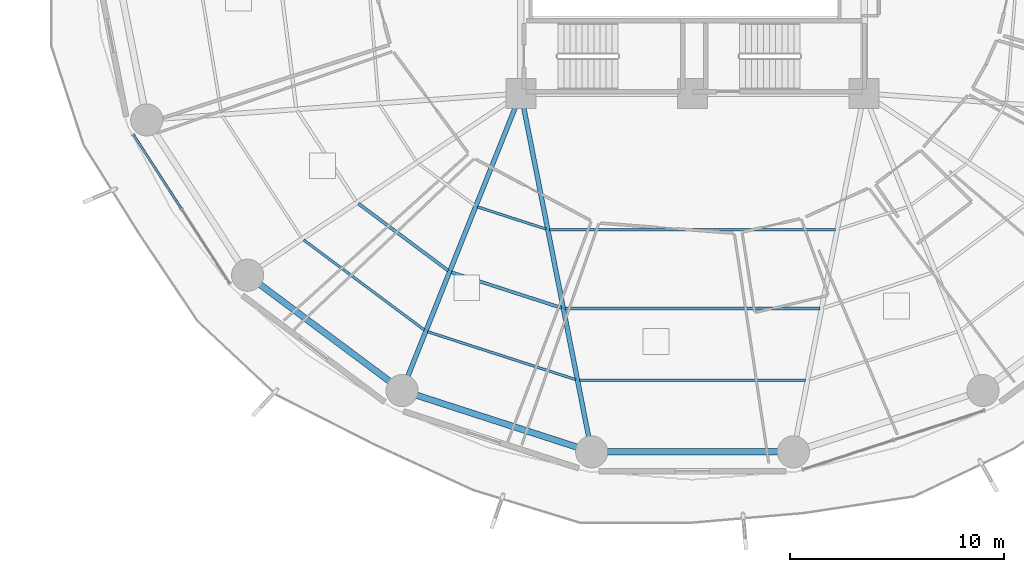
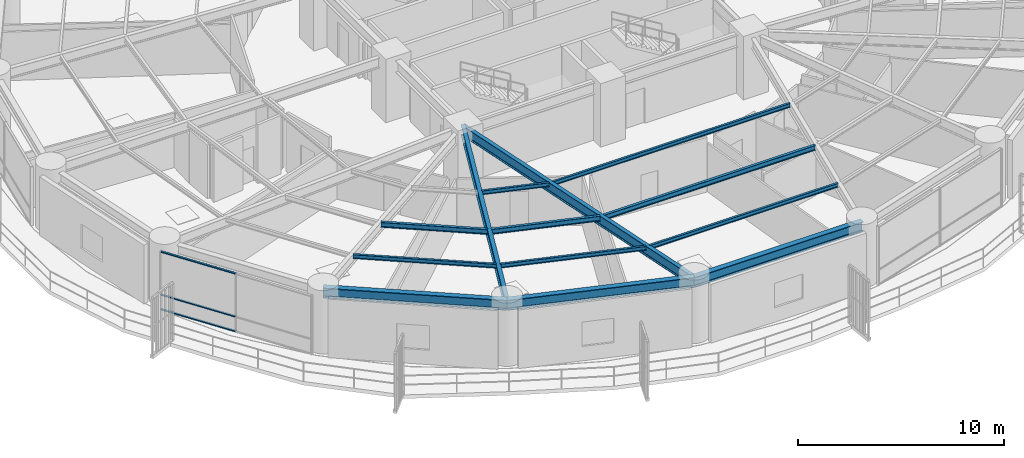
# One storey, part 3 of 31: 13 beams, 3 members, 1 element without a shape of its own.
"""IFC4 building model written with IfcOpenShell, lengths in metres."""

from ifc_helpers import new_model, si_unit, direction, frame, origin, origin_2d, place, context, subcontext, project, spatial, hollow_rectangle, i_section, extrude, material, layer, layer_set, material_profile, profile_set, type_object, element, aggregate, save


model = new_model("IFC4")

# Units and contexts
model_context = context("Model", 3, precision=1e-05, world=origin(), true_north=direction((0.0, 1.0)))
body_context = subcontext(model_context, "Body", "Model", "MODEL_VIEW")
ifc_project = project(units=[si_unit("LENGTHUNIT", "METRE"), si_unit("AREAUNIT", "SQUARE_METRE"), si_unit("VOLUMEUNIT", "CUBIC_METRE"), si_unit("PLANEANGLEUNIT", "RADIAN"), si_unit("MASSUNIT", "GRAM", prefix="KILO")], contexts=[model_context])

# Site, building, storey
site_placement = place(None, origin())
site = spatial("IfcSite", under=ifc_project, at=site_placement, CompositionType="ELEMENT")
building_placement = place(site_placement, origin())
building = spatial("IfcBuilding", under=site, at=building_placement, Name="Kelanora Arch Commons", CompositionType="ELEMENT")
storey_placement = place(building_placement, frame((0.0, 0.0, 63.75)))
storey = spatial("IfcBuildingStorey", under=building, at=storey_placement, Name="L16", CompositionType="ELEMENT", Elevation=63.75)

# Beams
ifc_material_1 = material(Name="Steel S355", Category="steel")
ifc_material_profile_1 = material_profile(ifc_material_1, i_section(OverallWidth=0.14990234375, OverallDepth=0.300048828125, WebThickness=0.007080078125, FlangeThickness=0.0107421875, FilletRadius=0.014892578125, at=origin_2d()), Name="IPE300")
ifc_profile_set_1 = profile_set([ifc_material_profile_1], Name="Steel S355")
beam_type_1 = type_object("IfcBeamType", Name="BM-JST-01", PredefinedType="JOIST", material=ifc_profile_set_1)
beam_1_placement = place(storey_placement, frame((58.42138671875, 45.8623046875, 3.340087890625), z_axis=(0.801478251559, -0.598023922831, 0.0), x_axis=(0.598023922831, 0.801478251559, 0.0)))
element("IfcBeam", 1, at=beam_1_placement, inside=storey, type_object=beam_type_1, Name="Secondary Chord Joist BJB-22 L16", PredefinedType="JOIST", context=body_context, shape_type="SweptSolid", body=[
    extrude(i_section(OverallWidth=0.14990234375, OverallDepth=0.300048828125, WebThickness=0.007080078125, FlangeThickness=0.0107421875, FilletRadius=0.014892578125, at=origin_2d()), origin(), (0.0, 0.0, 1.0), 5.223388671875),
])
beam_2_placement = place(storey_placement, frame((62.7568359375, 42.66162109375, 3.340087890625), z_axis=(0.951412209627, -0.307920131482, 0.0), x_axis=(0.307920131482, 0.951412209627, 0.0)))
element("IfcBeam", 2, at=beam_2_placement, inside=storey, type_object=beam_type_1, Name="Secondary Chord Joist BJB-24 L16", PredefinedType="JOIST", context=body_context, shape_type="SweptSolid", body=[
    extrude(i_section(OverallWidth=0.14990234375, OverallDepth=0.300048828125, WebThickness=0.007080078125, FlangeThickness=0.0107421875, FilletRadius=0.014892578125, at=origin_2d()), origin(), (0.0, 0.0, 1.0), 5.4033203125),
])
beam_3_placement = place(storey_placement, frame((68.063720703125, 40.971435546875, 3.340087890625), z_axis=(1.0, 0.0, 0.0), x_axis=(0.0, 1.0, 0.0)))
element("IfcBeam", 3, at=beam_3_placement, inside=storey, type_object=beam_type_1, Name="Secondary Chord Joist BJB-26 L16", PredefinedType="JOIST", context=body_context, shape_type="SweptSolid", body=[
    extrude(i_section(OverallWidth=0.14990234375, OverallDepth=0.300048828125, WebThickness=0.007080078125, FlangeThickness=0.0107421875, FilletRadius=0.014892578125, at=origin_2d()), origin(), (0.0, 0.0, 1.0), 11.87255859375),
])
ifc_material_profile_2 = material_profile(ifc_material_1, i_section(OverallWidth=0.1201171875, OverallDepth=0.239990234375, WebThickness=0.006103515625, FlangeThickness=0.009765625, FilletRadius=0.014892578125, at=origin_2d()), Name="IPE240")
ifc_profile_set_2 = profile_set([ifc_material_profile_2], Name="Steel S355")
beam_type_2 = type_object("IfcBeamType", Name="BM-JST-02", PredefinedType="JOIST", material=ifc_profile_set_2)
beam_4_placement = place(storey_placement, frame((55.87255859375, 44.16650390625, 3.3701171875), z_axis=(0.80149131963, -0.598006408459, 0.0), x_axis=(0.598006408459, 0.80149131963, 0.0)))
element("IfcBeam", 4, at=beam_4_placement, inside=storey, type_object=beam_type_2, Name="Secondary Chord Joist BJC-22 L16", PredefinedType="JOIST", context=body_context, shape_type="SweptSolid", body=[
    extrude(i_section(OverallWidth=0.1201171875, OverallDepth=0.239990234375, WebThickness=0.006103515625, FlangeThickness=0.009765625, FilletRadius=0.014892578125, at=origin_2d()), origin(), (0.0, 0.0, 1.0), 7.021240234375),
])
beam_5_placement = place(storey_placement, frame((63.9755859375, 45.709228515625, 3.3701171875), z_axis=(0.951422608074, -0.30788800049, 0.0), x_axis=(0.30788800049, 0.951422608074, 0.0)))
element("IfcBeam", 5, at=beam_5_placement, inside=storey, type_object=beam_type_2, Name="Secondary Chord Joist BJA-24 L16", PredefinedType="JOIST", context=body_context, shape_type="SweptSolid", body=[
    extrude(i_section(OverallWidth=0.1201171875, OverallDepth=0.239990234375, WebThickness=0.006103515625, FlangeThickness=0.009765625, FilletRadius=0.014892578125, at=origin_2d()), origin(), (0.0, 0.0, 1.0), 3.359619140625),
])
beam_6_placement = place(storey_placement, frame((61.64892578125, 39.890625, 3.3701171875), z_axis=(0.951410915705, -0.307924129418, 0.0), x_axis=(0.307924129418, 0.951410915705, 0.0)))
element("IfcBeam", 6, at=beam_6_placement, inside=storey, type_object=beam_type_2, Name="Secondary Chord Joist BJC-24 L16", PredefinedType="JOIST", context=body_context, shape_type="SweptSolid", body=[
    extrude(i_section(OverallWidth=0.1201171875, OverallDepth=0.239990234375, WebThickness=0.006103515625, FlangeThickness=0.009765625, FilletRadius=0.014892578125, at=origin_2d()), origin(), (0.0, 0.0, 1.0), 7.260986328125),
])
beam_7_placement = place(storey_placement, frame((67.338134765625, 44.648681640625, 3.3701171875), z_axis=(1.0, 0.0, 0.0), x_axis=(0.0, 1.0, 0.0)))
element("IfcBeam", 7, at=beam_7_placement, inside=storey, type_object=beam_type_2, Name="Secondary Chord Joist BJA-26 L16", PredefinedType="JOIST", context=body_context, shape_type="SweptSolid", body=[
    extrude(i_section(OverallWidth=0.1201171875, OverallDepth=0.239990234375, WebThickness=0.006103515625, FlangeThickness=0.009765625, FilletRadius=0.014892578125, at=origin_2d()), origin(), (0.0, 0.0, 1.0), 13.32373046875),
])
beam_8_placement = place(storey_placement, frame((68.72314453125, 37.628662109375, 3.3701171875), z_axis=(1.0, 0.0, 0.0), x_axis=(0.0, 1.0, 0.0)))
element("IfcBeam", 8, at=beam_8_placement, inside=storey, type_object=beam_type_2, Name="Secondary Chord Joist BJC-26 L16", PredefinedType="JOIST", context=body_context, shape_type="SweptSolid", body=[
    extrude(i_section(OverallWidth=0.1201171875, OverallDepth=0.239990234375, WebThickness=0.006103515625, FlangeThickness=0.009765625, FilletRadius=0.014892578125, at=origin_2d()), origin(), (0.0, 0.0, 1.0), 10.5537109375),
])
ifc_material_profile_3 = material_profile(ifc_material_1, i_section(OverallWidth=0.219970703125, OverallDepth=0.60009765625, WebThickness=0.011962890625, FlangeThickness=0.01904296875, FilletRadius=0.02392578125, at=origin_2d()), Name="IPE600")
ifc_profile_set_3 = profile_set([ifc_material_profile_3], Name="Steel S355")
beam_type_3 = type_object("IfcBeamType", Name="BM-RAD-Z1", PredefinedType="BEAM", material=ifc_profile_set_3)
beam_9_placement = place(storey_placement, frame((66.0, 51.0, 3.18994140625), z_axis=(-0.371300398117, -0.928512797089, 0.0), x_axis=(0.928512797089, -0.371300398117, 0.0)))
element("IfcBeam", 9, at=beam_9_placement, inside=storey, type_object=beam_type_3, Name="Radial Floor Girder BR-24 L16", PredefinedType="BEAM", context=body_context, shape_type="SweptSolid", body=[
    extrude(i_section(OverallWidth=0.219970703125, OverallDepth=0.60009765625, WebThickness=0.011962890625, FlangeThickness=0.01904296875, FilletRadius=0.02392578125, at=origin_2d()), origin(), (0.0, 0.0, 1.0), 14.920654296875),
])
beam_10_placement = place(storey_placement, frame((66.0, 51.0, 3.18994140625), z_axis=(0.19356352044, -0.981087745084, 0.0), x_axis=(0.981087745084, 0.19356352044, 0.0)))
element("IfcBeam", 10, at=beam_10_placement, inside=storey, type_object=beam_type_3, Name="Radial Floor Girder BR-26 L16", PredefinedType="BEAM", context=body_context, shape_type="SweptSolid", body=[
    extrude(i_section(OverallWidth=0.219970703125, OverallDepth=0.60009765625, WebThickness=0.011962890625, FlangeThickness=0.01904296875, FilletRadius=0.02392578125, at=origin_2d()), origin(), (0.0, 0.0, 1.0), 17.036376953125),
])
ifc_material_profile_4 = material_profile(ifc_material_1, i_section(OverallWidth=0.300048828125, OverallDepth=0.60009765625, WebThickness=0.015380859375, FlangeThickness=0.030029296875, FilletRadius=0.027099609375, at=origin_2d()), Name="HEB600")
ifc_profile_set_4 = profile_set([ifc_material_profile_4], Name="Steel S355")
beam_type_4 = type_object("IfcBeamType", Name="BM-SPN-Z1", PredefinedType="SPANDREL", material=ifc_profile_set_4)
beam_11_placement = place(storey_placement, frame((53.255615234375, 42.521728515625, 3.18994140625), z_axis=(0.801467504127, -0.598038326388, 0.0), x_axis=(0.598038326388, 0.801467504127, 0.0)))
element("IfcBeam", 11, at=beam_11_placement, inside=storey, type_object=beam_type_4, Name="Perimeter Spandrel Beam BS-22 L16", PredefinedType="SPANDREL", context=body_context, shape_type="SweptSolid", body=[
    extrude(i_section(OverallWidth=0.300048828125, OverallDepth=0.60009765625, WebThickness=0.015380859375, FlangeThickness=0.030029296875, FilletRadius=0.027099609375, at=origin_2d()), origin(), (0.0, 0.0, 1.0), 8.989013671875),
])
beam_12_placement = place(storey_placement, frame((60.4599609375, 37.14599609375, 3.18994140625), z_axis=(0.951417120402, -0.307904957748, 0.0), x_axis=(0.307904957748, 0.951417120402, 0.0)))
element("IfcBeam", 12, at=beam_12_placement, inside=storey, type_object=beam_type_4, Name="Perimeter Spandrel Beam BS-24 L16", PredefinedType="SPANDREL", context=body_context, shape_type="SweptSolid", body=[
    extrude(i_section(OverallWidth=0.300048828125, OverallDepth=0.60009765625, WebThickness=0.015380859375, FlangeThickness=0.030029296875, FilletRadius=0.027099609375, at=origin_2d()), origin(), (0.0, 0.0, 1.0), 9.288818359375),
])
beam_13_placement = place(storey_placement, frame((69.297607421875, 34.285888671875, 3.18994140625), z_axis=(1.0, 0.0, 0.0), x_axis=(0.0, 1.0, 0.0)))
element("IfcBeam", 13, at=beam_13_placement, inside=storey, type_object=beam_type_4, Name="Perimeter Spandrel Beam BS-26 L16", PredefinedType="SPANDREL", context=body_context, shape_type="SweptSolid", body=[
    extrude(i_section(OverallWidth=0.300048828125, OverallDepth=0.60009765625, WebThickness=0.015380859375, FlangeThickness=0.030029296875, FilletRadius=0.027099609375, at=origin_2d()), origin(), (0.0, 0.0, 1.0), 9.40478515625),
])

# Curtain wall, members
ifc_material_2 = material(Name="Terracotta ceramic-fritted low-E glass and aluminium", Category="masonry")
ifc_layer = layer(ifc_material_2, 0.159912109375)
ifc_layer_set = layer_set([ifc_layer], Name="Terracotta ceramic-fritted low-E glass and aluminium")
curtain_wall_type = type_object("IfcCurtainWallType", Name="CW-SYS-01", PredefinedType="NOTDEFINED", material=ifc_layer_set)
curtain_wall_placement = place(storey_placement, origin())
curtain_wall = element("IfcCurtainWall", 14, at=curtain_wall_placement, inside=storey, type_object=curtain_wall_type, Name="Unitised Curtain Wall L16-B10", PredefinedType="NOTDEFINED")
ifc_material_3 = material(Name="Powder-coated aluminium terracotta", Category="masonry")
ifc_material_profile_5 = material_profile(ifc_material_3, hollow_rectangle(XDim=0.1201171875, YDim=0.06005859375, WallThickness=0.0048828125, InnerFilletRadius=0.0048828125, OuterFilletRadius=0.010009765625, at=origin_2d()), Name="CWT120x60")
ifc_profile_set_5 = profile_set([ifc_material_profile_5], Name="Powder-coated aluminium terracotta")
member_type = type_object("IfcMemberType", Name="CWT-STD", PredefinedType="USERDEFINED", material=ifc_profile_set_5)
member_1_placement = place(storey_placement, frame((47.944091796875, 49.054443359375, 0.030029296875), z_axis=(0.542997414293, -0.839734367566, 0.0), x_axis=(0.839734367566, 0.542997414293, 0.0)))
member_1 = element("IfcMember", 15, at=member_1_placement, type_object=member_type, Name="CW-01 transom 1.1", ObjectType="TRANSOM", PredefinedType="USERDEFINED", context=body_context, shape_type="SweptSolid", body=[
    extrude(hollow_rectangle(XDim=0.1201171875, YDim=0.06005859375, WallThickness=0.0048828125, InnerFilletRadius=0.0048828125, OuterFilletRadius=0.010009765625, at=origin_2d()), origin(), (0.0, 0.0, 1.0), 4.067626953125),
])
member_2_placement = place(storey_placement, frame((47.944091796875, 49.054443359375, 0.89990234375), z_axis=(0.542997414293, -0.839734367566, 0.0), x_axis=(0.839734367566, 0.542997414293, 0.0)))
member_2 = element("IfcMember", 16, at=member_2_placement, type_object=member_type, Name="CW-01 transom 1.2", ObjectType="TRANSOM", PredefinedType="USERDEFINED", context=body_context, shape_type="SweptSolid", body=[
    extrude(hollow_rectangle(XDim=0.1201171875, YDim=0.06005859375, WallThickness=0.0048828125, InnerFilletRadius=0.0048828125, OuterFilletRadius=0.010009765625, at=origin_2d()), origin(), (0.0, 0.0, 1.0), 4.067626953125),
])
member_3_placement = place(storey_placement, frame((47.944091796875, 49.054443359375, 3.445068359375), z_axis=(0.542997414293, -0.839734367566, 0.0), x_axis=(0.839734367566, 0.542997414293, 0.0)))
member_3 = element("IfcMember", 17, at=member_3_placement, type_object=member_type, Name="CW-01 transom 1.3", ObjectType="TRANSOM", PredefinedType="USERDEFINED", context=body_context, shape_type="SweptSolid", body=[
    extrude(hollow_rectangle(XDim=0.1201171875, YDim=0.06005859375, WallThickness=0.0048828125, InnerFilletRadius=0.0048828125, OuterFilletRadius=0.010009765625, at=origin_2d()), origin(), (0.0, 0.0, 1.0), 4.067626953125),
])
aggregate(curtain_wall, [member_1, member_2, member_3])

save(model, "model.ifc")
